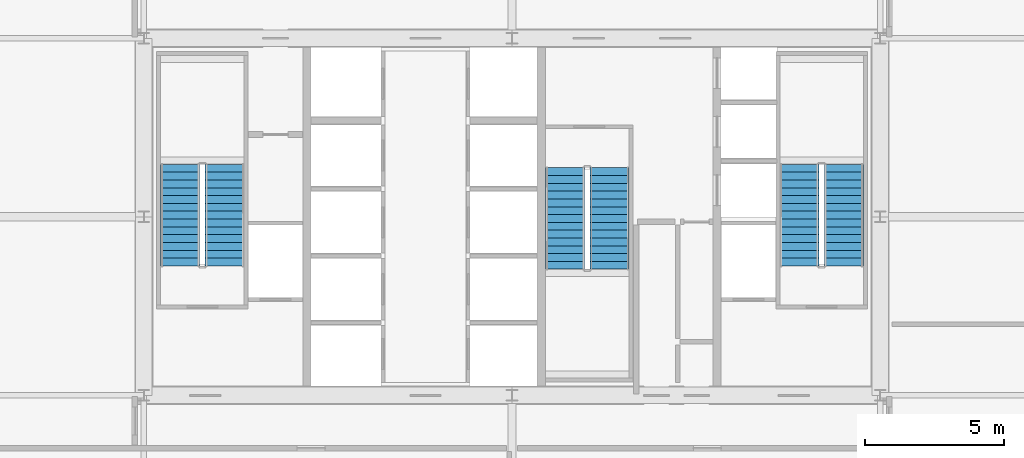
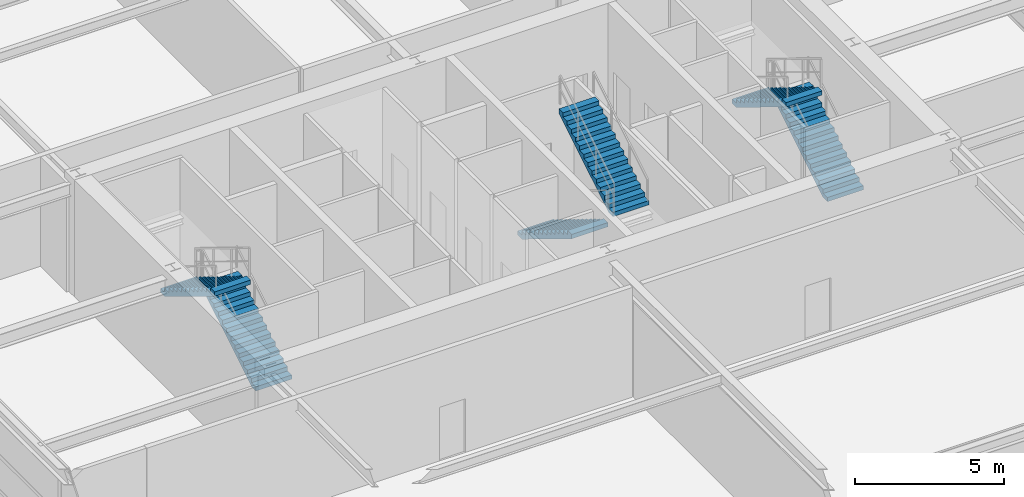
# One storey, part 33 of 34: 6 stair flights, 3 elements without a shape of their own.
"""IFC4 building model written with IfcOpenShell, lengths in metres."""

from ifc_helpers import new_model, si_unit, direction, frame, origin, place, context, subcontext, project, spatial, polyline, outline, extrude, source, transform, mapped, material, type_object, element, aggregate, save


model = new_model("IFC4")

# Units and contexts
model_context = context("Model", 3, precision=1e-05, world=origin(), true_north=direction((0.0, 1.0)))
body_context = subcontext(model_context, "Body", "Model", "MODEL_VIEW")
ifc_project = project(units=[si_unit("LENGTHUNIT", "METRE"), si_unit("AREAUNIT", "SQUARE_METRE"), si_unit("VOLUMEUNIT", "CUBIC_METRE"), si_unit("PLANEANGLEUNIT", "RADIAN"), si_unit("MASSUNIT", "GRAM", prefix="KILO"), si_unit("THERMODYNAMICTEMPERATUREUNIT", "KELVIN"), si_unit("POWERUNIT", "WATT")], contexts=[model_context])

# Site, building, storey
site_placement = place(None, origin())
site = spatial("IfcSite", under=ifc_project, at=site_placement, CompositionType="ELEMENT")
building_placement = place(site_placement, origin())
building = spatial("IfcBuilding", under=site, at=building_placement, Name="Yuzanri Waterfront Tower", CompositionType="ELEMENT")
storey_placement = place(building_placement, frame((0.0, 0.0, 166.800048828125)))
storey = spatial("IfcBuildingStorey", under=building, at=storey_placement, Name="L44", CompositionType="ELEMENT", Elevation=166.800048828125)

# Stair, stair flights
ifc_material_1 = material(Name="Concrete C40", Category="concrete")
stair_type = type_object("IfcStairType", Name="Concrete C40 Core Dogleg Exit Stair", PredefinedType="HALF_TURN_STAIR", material=ifc_material_1)
stair_1_placement = place(storey_placement, origin())
stair_1 = element("IfcStair", 1, at=stair_1_placement, inside=storey, type_object=stair_type, Name="L44 Smoke-Proof Core Stair ST-01", PredefinedType="HALF_TURN_STAIR")
ifc_material_2 = material(Name="Concrete C40", Category="concrete")
stair_flight_type = type_object("IfcStairFlightType", Name="Concrete C40 Tall-Storey Precast Stair Flight 1380", PredefinedType="STRAIGHT", material=ifc_material_2)
shared_shape = source(origin(), body_context, "Body", "SweptSolid", [
    extrude(outline(polyline([(0.0, 0.0), (0.0, 0.17138671875), (0.280029296875, 0.17138671875), (0.280029296875, 0.3427734375), (0.56005859375, 0.3427734375), (0.56005859375, 0.514404296875), (0.840087890625, 0.514404296875), (0.840087890625, 0.685791015625), (1.1201171875, 0.685791015625), (1.1201171875, 0.857177734375), (1.39990234375, 0.857177734375), (1.39990234375, 1.028564453125), (1.679931640625, 1.028564453125), (1.679931640625, 1.199951171875), (1.9599609375, 1.199951171875), (1.9599609375, 1.371337890625), (2.239990234375, 1.371337890625), (2.239990234375, 1.54296875), (2.52001953125, 1.54296875), (2.52001953125, 1.71435546875), (2.800048828125, 1.71435546875), (2.800048828125, 1.8857421875), (3.080078125, 1.8857421875), (3.080078125, 2.05712890625), (3.360107421875, 2.05712890625), (3.360107421875, 2.228515625), (3.639892578125, 2.228515625), (3.639892578125, 2.39990234375), (3.639892578125, 2.052734375), (0.287109375, 0.0), (0.0, 0.0)])), frame((0.0, 0.699951171875, 0.0), z_axis=(0.0, -1.0, 0.0), x_axis=(1.0, 0.0, 0.0)), (0.0, 0.0, 1.0), 1.39990234375),
])
stair_flight_1_placement = place(storey_placement, frame((26.699951171875, 24.0400390625, 0.0), z_axis=(0.0, 0.0, 1.0), x_axis=(0.0, 1.0, 0.0)))
stair_flight_1 = element("IfcStairFlight", 2, at=stair_flight_1_placement, type_object=stair_flight_type, Name="ST-01 flight 1", NumberOfRisers=14, NumberOfTreads=13, PredefinedType="STRAIGHT", RiserHeight=0.171428571, TreadLength=0.28, context=body_context, shape_type="MappedRepresentation", body=[
    mapped(shared_shape, transform((0.0, 0.0, 0.0), scale=1.0)),
])
stair_flight_2_placement = place(storey_placement, frame((25.10009765625, 27.679931640625, 2.39990234375), z_axis=(0.0, 0.0, 1.0), x_axis=(0.0, -1.0, 0.0)))
stair_flight_2 = element("IfcStairFlight", 3, at=stair_flight_2_placement, type_object=stair_flight_type, Name="ST-01 flight 2", NumberOfRisers=14, NumberOfTreads=13, PredefinedType="STRAIGHT", RiserHeight=0.171428571, TreadLength=0.28, context=body_context, shape_type="MappedRepresentation", body=[
    mapped(shared_shape, transform((0.0, 0.0, 0.0), scale=1.0)),
])
aggregate(stair_1, [stair_flight_1, stair_flight_2])

stair_2_placement = place(storey_placement, origin())
stair_2 = element("IfcStair", 4, at=stair_2_placement, inside=storey, type_object=stair_type, Name="L44 Smoke-Proof Core Stair ST-02", PredefinedType="HALF_TURN_STAIR")
stair_flight_3_placement = place(storey_placement, frame((48.89990234375, 24.0400390625, 0.0), z_axis=(0.0, 0.0, 1.0), x_axis=(0.0, 1.0, 0.0)))
stair_flight_3 = element("IfcStairFlight", 5, at=stair_flight_3_placement, type_object=stair_flight_type, Name="ST-02 flight 1", NumberOfRisers=14, NumberOfTreads=13, PredefinedType="STRAIGHT", RiserHeight=0.171428571, TreadLength=0.28, context=body_context, shape_type="MappedRepresentation", body=[
    mapped(shared_shape, transform((0.0, 0.0, 0.0), scale=1.0)),
])
stair_flight_4_placement = place(storey_placement, frame((47.300048828125, 27.679931640625, 2.39990234375), z_axis=(0.0, 0.0, 1.0), x_axis=(0.0, -1.0, 0.0)))
stair_flight_4 = element("IfcStairFlight", 6, at=stair_flight_4_placement, type_object=stair_flight_type, Name="ST-02 flight 2", NumberOfRisers=14, NumberOfTreads=13, PredefinedType="STRAIGHT", RiserHeight=0.171428571, TreadLength=0.28, context=body_context, shape_type="MappedRepresentation", body=[
    mapped(shared_shape, transform((0.0, 0.0, 0.0), scale=1.0)),
])
aggregate(stair_2, [stair_flight_3, stair_flight_4])

stair_3_placement = place(storey_placement, origin())
stair_3 = element("IfcStair", 7, at=stair_3_placement, inside=storey, type_object=stair_type, Name="L44 Smoke-Proof Core Stair ST-03", PredefinedType="HALF_TURN_STAIR")
stair_flight_5_placement = place(storey_placement, frame((38.89990234375, 27.56005859375, 0.0), z_axis=(0.0, 0.0, 1.0), x_axis=(0.0, -1.0, 0.0)))
stair_flight_5 = element("IfcStairFlight", 8, at=stair_flight_5_placement, type_object=stair_flight_type, Name="ST-03 flight 1", NumberOfRisers=14, NumberOfTreads=13, PredefinedType="STRAIGHT", RiserHeight=0.171428571, TreadLength=0.28, context=body_context, shape_type="MappedRepresentation", body=[
    mapped(shared_shape, transform((0.0, 0.0, 0.0), scale=1.0)),
])
stair_flight_6_placement = place(storey_placement, frame((40.5, 23.919921875, 2.39990234375), z_axis=(0.0, 0.0, 1.0), x_axis=(0.0, 1.0, 0.0)))
stair_flight_6 = element("IfcStairFlight", 9, at=stair_flight_6_placement, type_object=stair_flight_type, Name="ST-03 flight 2", NumberOfRisers=14, NumberOfTreads=13, PredefinedType="STRAIGHT", RiserHeight=0.171428571, TreadLength=0.28, context=body_context, shape_type="MappedRepresentation", body=[
    mapped(shared_shape, transform((0.0, 0.0, 0.0), scale=1.0)),
])
aggregate(stair_3, [stair_flight_5, stair_flight_6])

save(model, "model.ifc")
